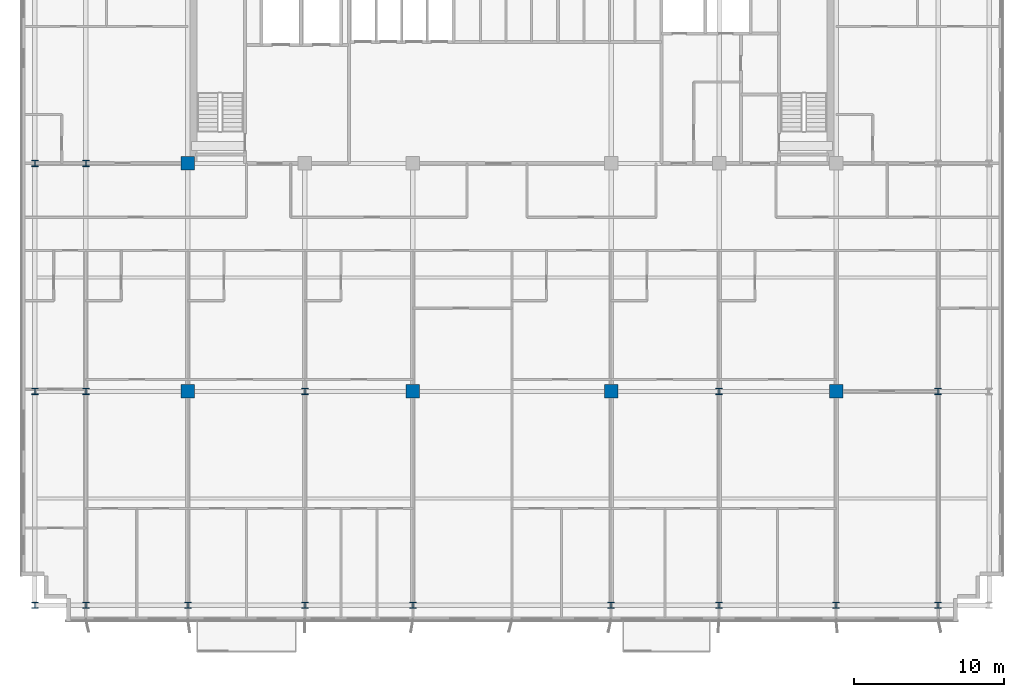
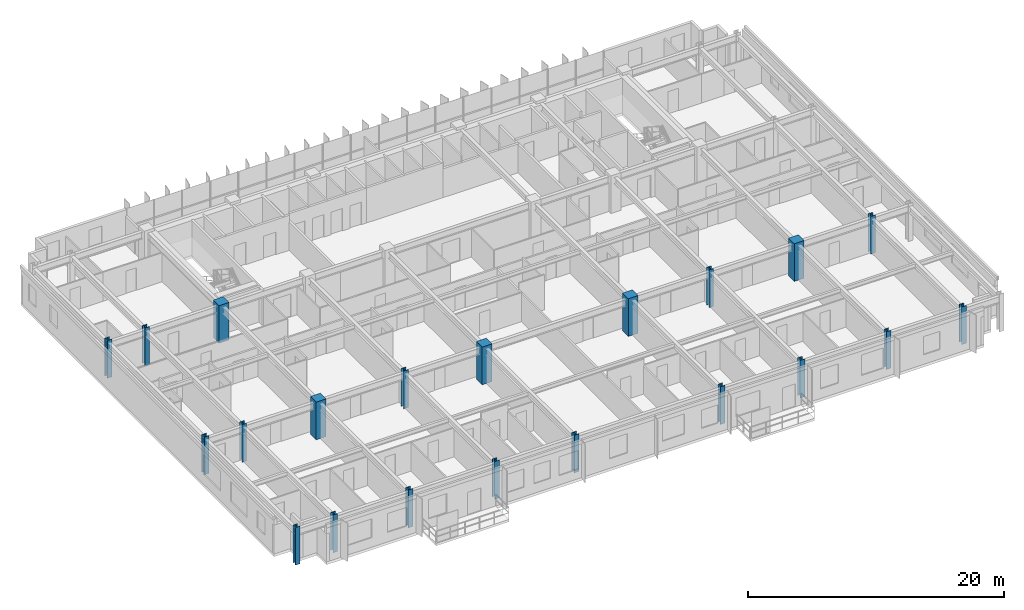
# One storey, part 1 of 24: 21 columns.
"""IFC4 building model written with IfcOpenShell, lengths in metres."""

import ifcopenshell
import ifcopenshell.guid

model = None  # the IFC model being written
_history = None  # IfcOwnerHistory: only IFC2X3 demands one
_inside = {}  # id of a spatial element -> (the spatial element, [elements in it])
_under = {}  # id of a project, library or spatial element -> (it, [spatial elements below it])
_declared = {}  # id of a project -> (the project, [libraries it declares])
_typed = {}  # id of a type object -> (the type object, [elements of that type])
_made_of = {}  # id of a material, layer set ... -> (it, [elements and type objects made of it])


def new_model(schema):
    """Start an empty IFC model of exactly this schema.

    Asked for "IFC4X3", IfcOpenShell would pick the latest addendum, in which some entities
    have other attributes; the version numbers below select the first issue.
    IFC2X3 requires an IfcOwnerHistory on every rooted entity: one is made here for all.
    """
    global model, _history
    if schema == "IFC4X3":
        model = ifcopenshell.file(schema_version=(4, 3, 0, 0))
    else:
        model = ifcopenshell.file(schema=schema)
    _inside.clear()
    _under.clear()
    _declared.clear()
    _typed.clear()
    _made_of.clear()
    _history = None
    if model.schema == "IFC2X3":
        org = make("IfcOrganization", Name="unknown")
        user = make(
            "IfcPersonAndOrganization",
            ThePerson=make("IfcPerson", FamilyName="unknown"),
            TheOrganization=org,
        )
        app = make(
            "IfcApplication",
            ApplicationDeveloper=org,
            Version="unknown",
            ApplicationFullName="unknown",
            ApplicationIdentifier="unknown",
        )
        _history = make(
            "IfcOwnerHistory",
            OwningUser=user,
            OwningApplication=app,
            ChangeAction="ADDED",
            CreationDate=0,
        )
    return model


def make(cls, **values):
    """One entity of the class cls with the attributes given. An attribute that is None is left unset."""
    return model.create_entity(
        cls, **{name: value for name, value in values.items() if value is not None}
    )


def rooted(cls, **values):
    """An entity with a GlobalId (a new one), such as an element, a storey or a relation."""
    return make(cls, GlobalId=ifcopenshell.guid.new(), OwnerHistory=_history, **values)


def si_unit(unit_type, name, prefix=None):
    """IfcSIUnit, for example si_unit("LENGTHUNIT", "METRE", prefix="MILLI")."""
    return make("IfcSIUnit", UnitType=unit_type, Prefix=prefix, Name=name)


def assignment(units):
    """IfcUnitAssignment: the units of a project."""
    return None if units is None else make("IfcUnitAssignment", Units=units)


def point(xyz):
    """IfcCartesianPoint."""
    return None if xyz is None else make("IfcCartesianPoint", Coordinates=xyz)


def direction(xyz):
    """IfcDirection."""
    return None if xyz is None else make("IfcDirection", DirectionRatios=xyz)


def frame(location, z_axis=None, x_axis=None):
    """IfcAxis2Placement3D, a coordinate frame: its origin and axes. An axis left out is left unset."""
    return make(
        "IfcAxis2Placement3D",
        Location=point(location),
        Axis=direction(z_axis),
        RefDirection=direction(x_axis),
    )


def frame_2d(location, x_axis=None):
    """IfcAxis2Placement2D, a coordinate frame in the plane: its origin and x axis."""
    return make(
        "IfcAxis2Placement2D", Location=point(location), RefDirection=direction(x_axis)
    )


def origin():
    """The frame at (0, 0, 0) with its axes left unset."""
    return frame((0.0, 0.0, 0.0))


def origin_2d():
    """The frame at (0, 0) in the plane with its x axis left unset."""
    return frame_2d((0.0, 0.0))


def place(relative_to, where):
    """IfcLocalPlacement: puts the frame where relative to a parent placement (None: the world)."""
    return make(
        "IfcLocalPlacement", PlacementRelTo=relative_to, RelativePlacement=where
    )


def context(
    kind, dimensions, precision=None, world=None, true_north=None, identifier=None
):
    """IfcGeometricRepresentationContext, for example the 3D "Model" context."""
    return make(
        "IfcGeometricRepresentationContext",
        ContextIdentifier=identifier,
        ContextType=kind,
        CoordinateSpaceDimension=dimensions,
        Precision=precision,
        WorldCoordinateSystem=world,
        TrueNorth=true_north,
    )


def subcontext(parent, identifier, kind, view, scale=None):
    """IfcGeometricRepresentationSubContext, for example "Body" below "Model"."""
    return make(
        "IfcGeometricRepresentationSubContext",
        ContextIdentifier=identifier,
        ContextType=kind,
        ParentContext=parent,
        TargetScale=scale,
        TargetView=view,
    )


def project(units=None, contexts=None):
    """IfcProject with its units and contexts."""
    return rooted(
        "IfcProject",
        Name="project",
        RepresentationContexts=contexts,
        UnitsInContext=assignment(units),
    )


def spatial(cls, under=None, at=None, **own):
    """A site, building, storey or space (cls), placed at a placement, below another one or the project."""
    s = rooted(cls, ObjectPlacement=at, **own)
    if under is not None:
        _under.setdefault(under.id(), (under, []))[1].append(s)
    return s


def profile(cls, at=None, kind="AREA", **sizes):
    """A parametric profile (cls). Its sizes go by their IFC names, for example OverallWidth=200.0."""
    return make(cls, ProfileType=kind, Position=at, **sizes)


def rectangle(**sizes):
    """IfcRectangleProfileDef."""
    return profile("IfcRectangleProfileDef", **sizes)


def i_section(**sizes):
    """IfcIShapeProfileDef."""
    return profile("IfcIShapeProfileDef", **sizes)


def extrude(swept, where, along, depth):
    """IfcExtrudedAreaSolid: the profile swept, set in the frame where, extruded along a direction by depth."""
    return make(
        "IfcExtrudedAreaSolid",
        SweptArea=swept,
        Position=where,
        ExtrudedDirection=direction(along),
        Depth=depth,
    )


def shape(context_of_items, identifier, shape_type, items):
    """IfcShapeRepresentation: the items that make up one representation, for example the "Body"."""
    return make(
        "IfcShapeRepresentation",
        ContextOfItems=context_of_items,
        RepresentationIdentifier=identifier,
        RepresentationType=shape_type,
        Items=items,
    )


def source(mapping_origin, context_of_items, identifier, shape_type, items):
    """IfcRepresentationMap: a shape defined once, which mapped items show again and again."""
    return make(
        "IfcRepresentationMap",
        MappingOrigin=mapping_origin,
        MappedRepresentation=shape(context_of_items, identifier, shape_type, items),
    )


def transform(
    local_origin,
    x_axis=None,
    y_axis=None,
    z_axis=None,
    scale=None,
    scale2=None,
    scale3=None,
    uniform=True,
):
    """IfcCartesianTransformationOperator3D, or its non-uniform kind. x_axis, y_axis, z_axis: its Axis1, 2, 3."""
    if uniform:
        return make(
            "IfcCartesianTransformationOperator3D",
            Axis1=direction(x_axis),
            Axis2=direction(y_axis),
            LocalOrigin=point(local_origin),
            Scale=scale,
            Axis3=direction(z_axis),
        )
    return make(
        "IfcCartesianTransformationOperator3DnonUniform",
        Axis1=direction(x_axis),
        Axis2=direction(y_axis),
        LocalOrigin=point(local_origin),
        Scale=scale,
        Axis3=direction(z_axis),
        Scale2=scale2,
        Scale3=scale3,
    )


def mapped(mapping_source, mapping_target):
    """IfcMappedItem: shows the shape of a source again, moved by a transform."""
    return make(
        "IfcMappedItem", MappingSource=mapping_source, MappingTarget=mapping_target
    )


def material(Name=None, Category=None):
    """IfcMaterial."""
    return make("IfcMaterial", Name=Name, Category=Category)


def material_profile(
    of_material, cross_section, Name=None, Category=None, Priority=None
):
    """IfcMaterialProfile: a cross section and its material."""
    return make(
        "IfcMaterialProfile",
        Name=Name,
        Material=of_material,
        Profile=cross_section,
        Priority=Priority,
        Category=Category,
    )


def profile_set(profiles, Name=None, composite=None):
    """IfcMaterialProfileSet."""
    return make(
        "IfcMaterialProfileSet",
        Name=Name,
        MaterialProfiles=profiles,
        CompositeProfile=composite,
    )


def made_of(thing, what):
    """Note that an element or type object is made of a material, layer set ...; save() writes the relation."""
    if what is not None:
        _made_of.setdefault(what.id(), (what, []))[1].append(thing)
    return thing


def type_object(cls, material=None, **own):
    """A type object (cls), such as IfcWallType, which elements share."""
    return made_of(rooted(cls, **own), material)


def element(
    cls,
    number,
    at=None,
    inside=None,
    cuts=None,
    type_object=None,
    material=None,
    context=None,
    identifier="Body",
    shape_type=None,
    held_by="IfcProductDefinitionShape",
    body=None,
    shapes=None,
    **own,
):
    """One element of the class cls, such as IfcWall. Its Tag is "e" and its number.

    at: its placement. inside: the storey or other place that contains it. cuts: it is an
    opening in that element (IfcRelVoidsElement). A single representation is given by context,
    identifier, shape_type and body (its items); several are given by shapes. held_by: the class
    of the entity that holds the representations. save() writes the other relations.
    """
    e = rooted(cls, Tag="e%d" % number, ObjectPlacement=at, **own)
    if body is not None:
        shapes = [shape(context, identifier, shape_type, body)]
    if shapes is not None:
        e.Representation = make(held_by, Representations=shapes)
    if inside is not None:
        _inside.setdefault(inside.id(), (inside, []))[1].append(e)
    if cuts is not None:
        rooted(
            "IfcRelVoidsElement", RelatingBuildingElement=cuts, RelatedOpeningElement=e
        )
    if type_object is not None:
        _typed.setdefault(type_object.id(), (type_object, []))[1].append(e)
    return made_of(e, material)


def aggregate(whole, parts):
    """IfcRelAggregates: a whole, such as a stair, and the parts it consists of."""
    return rooted("IfcRelAggregates", RelatingObject=whole, RelatedObjects=parts)


def save(model, path):
    """Write the relations noted so far, then the file.

    IfcRelAggregates (storeys below a building ...), IfcRelContainedInSpatialStructure (elements
    in a storey), IfcRelDefinesByType, IfcRelAssociatesMaterial and IfcRelDeclares: one each for
    every whole, place, type object, material and project.
    """
    for whole, parts in _under.values():
        aggregate(whole, parts)
    for where, things in _inside.values():
        rooted(
            "IfcRelContainedInSpatialStructure",
            RelatedElements=things,
            RelatingStructure=where,
        )
    for kind, things in _typed.values():
        rooted("IfcRelDefinesByType", RelatedObjects=things, RelatingType=kind)
    for what, things in _made_of.values():
        rooted("IfcRelAssociatesMaterial", RelatedObjects=things, RelatingMaterial=what)
    for by, libraries in _declared.values():
        rooted("IfcRelDeclares", RelatingContext=by, RelatedDefinitions=libraries)
    model.write(path)


model = new_model("IFC4")

# Units and contexts
model_context = context("Model", 3, precision=1e-05, world=origin(), true_north=direction((0.0, 1.0)))
body_context = subcontext(model_context, "Body", "Model", "MODEL_VIEW")
ifc_project = project(units=[si_unit("LENGTHUNIT", "METRE"), si_unit("AREAUNIT", "SQUARE_METRE"), si_unit("VOLUMEUNIT", "CUBIC_METRE"), si_unit("PLANEANGLEUNIT", "RADIAN"), si_unit("MASSUNIT", "GRAM", prefix="KILO")], contexts=[model_context])

# Site, building, storey
site_placement = place(None, origin())
site = spatial("IfcSite", under=ifc_project, at=site_placement, CompositionType="ELEMENT")
building_placement = place(site_placement, origin())
building = spatial("IfcBuilding", under=site, at=building_placement, Name="Trelvane Seafront Commons", CompositionType="ELEMENT")
storey_placement = place(building_placement, frame((0.0, 0.0, 27.10009765625)))
storey = spatial("IfcBuildingStorey", under=building, at=storey_placement, Name="L06", CompositionType="ELEMENT", Elevation=27.10009765625)

# Columns
ifc_material_1 = material(Name="Steel SM355 (S355)", Category="steel")
ifc_material_profile_1 = material_profile(ifc_material_1, i_section(OverallWidth=0.419921875, OverallDepth=0.419921875, WebThickness=0.02587890625, FlangeThickness=0.0400390625, at=origin_2d()), Name="HD-420x420x26x40")
ifc_profile_set_1 = profile_set([ifc_material_profile_1], Name="Steel SM355 (S355)")
column_type_1 = type_object("IfcColumnType", Name="STR-COL-HD420", PredefinedType="COLUMN", material=ifc_profile_set_1)
shared_shape_1 = source(origin(), body_context, "Body", "SweptSolid", [
    extrude(i_section(OverallWidth=0.419921875, OverallDepth=0.419921875, WebThickness=0.02587890625, FlangeThickness=0.0400390625, at=origin_2d()), origin(), (0.0, 0.0, 1.0), 3.599853515625),
])
for number, where, z_axis, x_axis, name in (
    (1, (5.39990234375, 3.949951171875, 0.0), (0.0, 0.0, 1.0), (1.0, 0.0, 0.0), "L06 Column TC-S5.4"),
    (2, (5.39990234375, 18.199951171875, 0.0), (0.0, 0.0, 1.0), (1.0, 0.0, 0.0), "L06 Column TC-M5.4"),
    (3, (5.39990234375, 33.39990234375, 0.0), (0.0, 0.0, 1.0), (1.0, 0.0, 0.0), "L06 Column TC-CS5.4"),
    (4, (8.800048828125, 3.949951171875, 0.0), (0.0, 0.0, 1.0), (1.0, 0.0, 0.0), "L06 Column TC-S8.8"),
    (5, (8.800048828125, 18.199951171875, 0.0), (0.0, 0.0, 1.0), (1.0, 0.0, 0.0), "L06 Column TC-M8.8"),
    (6, (8.800048828125, 33.39990234375, 0.0), (0.0, 0.0, 1.0), (1.0, 0.0, 0.0), "L06 Column TC-CS8.8"),
    (7, (15.60009765625, 3.949951171875, 0.0), (0.0, 0.0, 1.0), (1.0, 0.0, 0.0), "L06 Column TC-S15.6"),
    (8, (23.39990234375, 3.949951171875, 0.0), (0.0, 0.0, 1.0), (1.0, 0.0, 0.0), "L06 Column TC-S23.4"),
    (9, (23.39990234375, 18.199951171875, 0.0), (0.0, 0.0, 1.0), (1.0, 0.0, 0.0), "L06 Column TC-M23.4"),
    (10, (30.60009765625, 3.949951171875, 0.0), (0.0, 0.0, 1.0), (1.0, 0.0, 0.0), "L06 Column TC-S30.6"),
    (11, (43.800048828125, 3.949951171875, 0.0), (0.0, 0.0, 1.0), (1.0, 0.0, 0.0), "L06 Column TC-S43.8"),
    (12, (51.0, 3.949951171875, 0.0), (0.0, 0.0, 1.0), (1.0, 0.0, 0.0), "L06 Column TC-S51.0"),
    (13, (51.0, 18.199951171875, 0.0), (0.0, 0.0, 1.0), (1.0, 0.0, 0.0), "L06 Column TC-M51.0"),
    (14, (58.800048828125, 3.949951171875, 0.0), (0.0, 0.0, 1.0), (1.0, 0.0, 0.0), "L06 Column TC-S58.8"),
    (15, (65.60009765625, 3.949951171875, 0.0), (0.0, 0.0, 1.0), (1.0, 0.0, 0.0), "L06 Column TC-S65.6"),
    (16, (65.60009765625, 18.199951171875, 0.0), (0.0, 0.0, 1.0), (1.0, 0.0, 0.0), "L06 Column TC-M65.6"),
):
    element("IfcColumn", number, at=place(storey_placement, frame(where, z_axis=z_axis, x_axis=x_axis)), inside=storey, type_object=column_type_1, Name=name, PredefinedType="COLUMN", context=body_context, shape_type="MappedRepresentation", body=[
        mapped(shared_shape_1, transform((0.0, 0.0, 0.0), x_axis=(1.0, 0.0, 0.0), y_axis=(0.0, 1.0, 0.0), z_axis=(0.0, 0.0, 1.0), scale=1.0)),
    ])
ifc_material_2 = material(Name="Concrete C60/75", Category="concrete")
ifc_material_profile_2 = material_profile(ifc_material_2, rectangle(XDim=0.89990234375, YDim=0.89990234375, at=origin_2d()), Name="RC-900x900")
ifc_profile_set_2 = profile_set([ifc_material_profile_2], Name="Concrete C60/75")
column_type_2 = type_object("IfcColumnType", Name="STR-COL-RC900", PredefinedType="COLUMN", material=ifc_profile_set_2)
shared_shape_2 = source(origin(), body_context, "Body", "SweptSolid", [
    extrude(rectangle(XDim=0.89990234375, YDim=0.89990234375, at=origin_2d()), origin(), (0.0, 0.0, 1.0), 3.599853515625),
])
for number, where, z_axis, x_axis, name in (
    (17, (15.60009765625, 18.199951171875, 0.0), (0.0, 0.0, 1.0), (1.0, 0.0, 0.0), "L06 Column TC-M15.6"),
    (18, (15.60009765625, 33.39990234375, 0.0), (0.0, 0.0, 1.0), (1.0, 0.0, 0.0), "L06 Column TC-CS15.6"),
    (19, (30.60009765625, 18.199951171875, 0.0), (0.0, 0.0, 1.0), (1.0, 0.0, 0.0), "L06 Column TC-M30.6"),
    (20, (43.800048828125, 18.199951171875, 0.0), (0.0, 0.0, 1.0), (1.0, 0.0, 0.0), "L06 Column TC-M43.8"),
    (21, (58.800048828125, 18.199951171875, 0.0), (0.0, 0.0, 1.0), (1.0, 0.0, 0.0), "L06 Column TC-M58.8"),
):
    element("IfcColumn", number, at=place(storey_placement, frame(where, z_axis=z_axis, x_axis=x_axis)), inside=storey, type_object=column_type_2, Name=name, PredefinedType="COLUMN", context=body_context, shape_type="MappedRepresentation", body=[
        mapped(shared_shape_2, transform((0.0, 0.0, 0.0), x_axis=(1.0, 0.0, 0.0), y_axis=(0.0, 1.0, 0.0), z_axis=(0.0, 0.0, 1.0), scale=1.0)),
    ])

save(model, "model.ifc")
